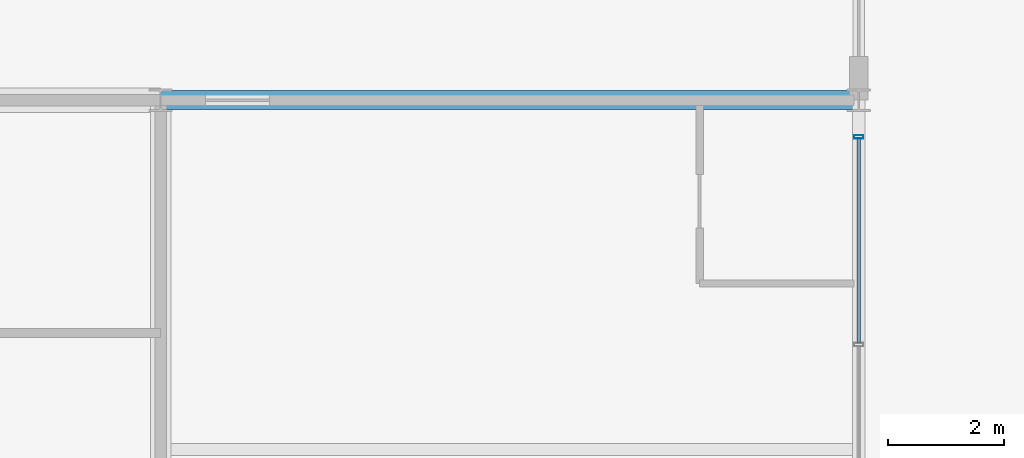
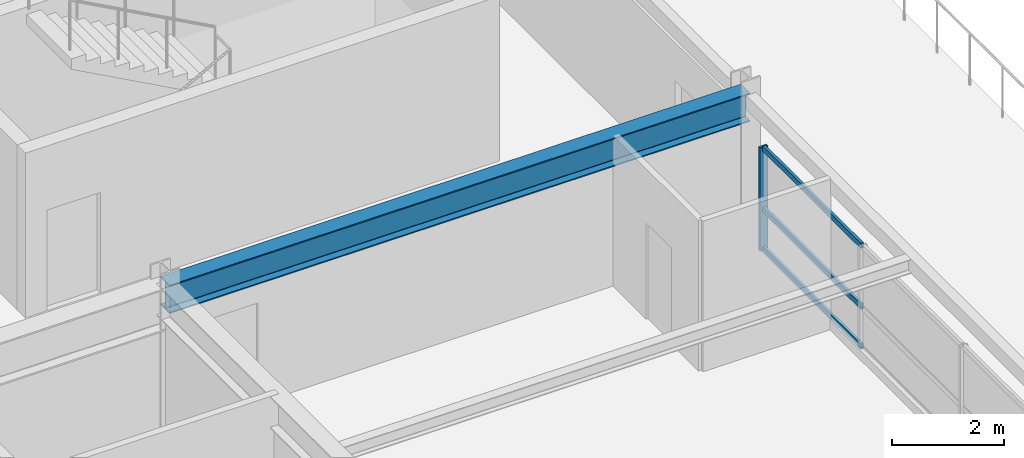
# One storey, part 11 of 24: 4 members, 1 beam, 1 element without a shape of its own.
"""IFC4 building model written with IfcOpenShell, lengths in metres."""

import ifcopenshell
import ifcopenshell.guid

model = None  # the IFC model being written
_history = None  # IfcOwnerHistory: only IFC2X3 demands one
_inside = {}  # id of a spatial element -> (the spatial element, [elements in it])
_under = {}  # id of a project, library or spatial element -> (it, [spatial elements below it])
_declared = {}  # id of a project -> (the project, [libraries it declares])
_typed = {}  # id of a type object -> (the type object, [elements of that type])
_made_of = {}  # id of a material, layer set ... -> (it, [elements and type objects made of it])


def new_model(schema):
    """Start an empty IFC model of exactly this schema.

    Asked for "IFC4X3", IfcOpenShell would pick the latest addendum, in which some entities
    have other attributes; the version numbers below select the first issue.
    IFC2X3 requires an IfcOwnerHistory on every rooted entity: one is made here for all.
    """
    global model, _history
    if schema == "IFC4X3":
        model = ifcopenshell.file(schema_version=(4, 3, 0, 0))
    else:
        model = ifcopenshell.file(schema=schema)
    _inside.clear()
    _under.clear()
    _declared.clear()
    _typed.clear()
    _made_of.clear()
    _history = None
    if model.schema == "IFC2X3":
        org = make("IfcOrganization", Name="unknown")
        user = make(
            "IfcPersonAndOrganization",
            ThePerson=make("IfcPerson", FamilyName="unknown"),
            TheOrganization=org,
        )
        app = make(
            "IfcApplication",
            ApplicationDeveloper=org,
            Version="unknown",
            ApplicationFullName="unknown",
            ApplicationIdentifier="unknown",
        )
        _history = make(
            "IfcOwnerHistory",
            OwningUser=user,
            OwningApplication=app,
            ChangeAction="ADDED",
            CreationDate=0,
        )
    return model


def make(cls, **values):
    """One entity of the class cls with the attributes given. An attribute that is None is left unset."""
    return model.create_entity(
        cls, **{name: value for name, value in values.items() if value is not None}
    )


def rooted(cls, **values):
    """An entity with a GlobalId (a new one), such as an element, a storey or a relation."""
    return make(cls, GlobalId=ifcopenshell.guid.new(), OwnerHistory=_history, **values)


def si_unit(unit_type, name, prefix=None):
    """IfcSIUnit, for example si_unit("LENGTHUNIT", "METRE", prefix="MILLI")."""
    return make("IfcSIUnit", UnitType=unit_type, Prefix=prefix, Name=name)


def assignment(units):
    """IfcUnitAssignment: the units of a project."""
    return None if units is None else make("IfcUnitAssignment", Units=units)


def point(xyz):
    """IfcCartesianPoint."""
    return None if xyz is None else make("IfcCartesianPoint", Coordinates=xyz)


def direction(xyz):
    """IfcDirection."""
    return None if xyz is None else make("IfcDirection", DirectionRatios=xyz)


def frame(location, z_axis=None, x_axis=None):
    """IfcAxis2Placement3D, a coordinate frame: its origin and axes. An axis left out is left unset."""
    return make(
        "IfcAxis2Placement3D",
        Location=point(location),
        Axis=direction(z_axis),
        RefDirection=direction(x_axis),
    )


def frame_2d(location, x_axis=None):
    """IfcAxis2Placement2D, a coordinate frame in the plane: its origin and x axis."""
    return make(
        "IfcAxis2Placement2D", Location=point(location), RefDirection=direction(x_axis)
    )


def origin():
    """The frame at (0, 0, 0) with its axes left unset."""
    return frame((0.0, 0.0, 0.0))


def origin_2d():
    """The frame at (0, 0) in the plane with its x axis left unset."""
    return frame_2d((0.0, 0.0))


def place(relative_to, where):
    """IfcLocalPlacement: puts the frame where relative to a parent placement (None: the world)."""
    return make(
        "IfcLocalPlacement", PlacementRelTo=relative_to, RelativePlacement=where
    )


def context(
    kind, dimensions, precision=None, world=None, true_north=None, identifier=None
):
    """IfcGeometricRepresentationContext, for example the 3D "Model" context."""
    return make(
        "IfcGeometricRepresentationContext",
        ContextIdentifier=identifier,
        ContextType=kind,
        CoordinateSpaceDimension=dimensions,
        Precision=precision,
        WorldCoordinateSystem=world,
        TrueNorth=true_north,
    )


def subcontext(parent, identifier, kind, view, scale=None):
    """IfcGeometricRepresentationSubContext, for example "Body" below "Model"."""
    return make(
        "IfcGeometricRepresentationSubContext",
        ContextIdentifier=identifier,
        ContextType=kind,
        ParentContext=parent,
        TargetScale=scale,
        TargetView=view,
    )


def project(units=None, contexts=None):
    """IfcProject with its units and contexts."""
    return rooted(
        "IfcProject",
        Name="project",
        RepresentationContexts=contexts,
        UnitsInContext=assignment(units),
    )


def spatial(cls, under=None, at=None, **own):
    """A site, building, storey or space (cls), placed at a placement, below another one or the project."""
    s = rooted(cls, ObjectPlacement=at, **own)
    if under is not None:
        _under.setdefault(under.id(), (under, []))[1].append(s)
    return s


def profile(cls, at=None, kind="AREA", **sizes):
    """A parametric profile (cls). Its sizes go by their IFC names, for example OverallWidth=200.0."""
    return make(cls, ProfileType=kind, Position=at, **sizes)


def hollow_rectangle(**sizes):
    """IfcRectangleHollowProfileDef."""
    return profile("IfcRectangleHollowProfileDef", **sizes)


def i_section(**sizes):
    """IfcIShapeProfileDef."""
    return profile("IfcIShapeProfileDef", **sizes)


def extrude(swept, where, along, depth):
    """IfcExtrudedAreaSolid: the profile swept, set in the frame where, extruded along a direction by depth."""
    return make(
        "IfcExtrudedAreaSolid",
        SweptArea=swept,
        Position=where,
        ExtrudedDirection=direction(along),
        Depth=depth,
    )


def shape(context_of_items, identifier, shape_type, items):
    """IfcShapeRepresentation: the items that make up one representation, for example the "Body"."""
    return make(
        "IfcShapeRepresentation",
        ContextOfItems=context_of_items,
        RepresentationIdentifier=identifier,
        RepresentationType=shape_type,
        Items=items,
    )


def material(Name=None, Category=None):
    """IfcMaterial."""
    return make("IfcMaterial", Name=Name, Category=Category)


def material_profile(
    of_material, cross_section, Name=None, Category=None, Priority=None
):
    """IfcMaterialProfile: a cross section and its material."""
    return make(
        "IfcMaterialProfile",
        Name=Name,
        Material=of_material,
        Profile=cross_section,
        Priority=Priority,
        Category=Category,
    )


def profile_set(profiles, Name=None, composite=None):
    """IfcMaterialProfileSet."""
    return make(
        "IfcMaterialProfileSet",
        Name=Name,
        MaterialProfiles=profiles,
        CompositeProfile=composite,
    )


def made_of(thing, what):
    """Note that an element or type object is made of a material, layer set ...; save() writes the relation."""
    if what is not None:
        _made_of.setdefault(what.id(), (what, []))[1].append(thing)
    return thing


def type_object(cls, material=None, **own):
    """A type object (cls), such as IfcWallType, which elements share."""
    return made_of(rooted(cls, **own), material)


def element(
    cls,
    number,
    at=None,
    inside=None,
    cuts=None,
    type_object=None,
    material=None,
    context=None,
    identifier="Body",
    shape_type=None,
    held_by="IfcProductDefinitionShape",
    body=None,
    shapes=None,
    **own,
):
    """One element of the class cls, such as IfcWall. Its Tag is "e" and its number.

    at: its placement. inside: the storey or other place that contains it. cuts: it is an
    opening in that element (IfcRelVoidsElement). A single representation is given by context,
    identifier, shape_type and body (its items); several are given by shapes. held_by: the class
    of the entity that holds the representations. save() writes the other relations.
    """
    e = rooted(cls, Tag="e%d" % number, ObjectPlacement=at, **own)
    if body is not None:
        shapes = [shape(context, identifier, shape_type, body)]
    if shapes is not None:
        e.Representation = make(held_by, Representations=shapes)
    if inside is not None:
        _inside.setdefault(inside.id(), (inside, []))[1].append(e)
    if cuts is not None:
        rooted(
            "IfcRelVoidsElement", RelatingBuildingElement=cuts, RelatedOpeningElement=e
        )
    if type_object is not None:
        _typed.setdefault(type_object.id(), (type_object, []))[1].append(e)
    return made_of(e, material)


def aggregate(whole, parts):
    """IfcRelAggregates: a whole, such as a stair, and the parts it consists of."""
    return rooted("IfcRelAggregates", RelatingObject=whole, RelatedObjects=parts)


def save(model, path):
    """Write the relations noted so far, then the file.

    IfcRelAggregates (storeys below a building ...), IfcRelContainedInSpatialStructure (elements
    in a storey), IfcRelDefinesByType, IfcRelAssociatesMaterial and IfcRelDeclares: one each for
    every whole, place, type object, material and project.
    """
    for whole, parts in _under.values():
        aggregate(whole, parts)
    for where, things in _inside.values():
        rooted(
            "IfcRelContainedInSpatialStructure",
            RelatedElements=things,
            RelatingStructure=where,
        )
    for kind, things in _typed.values():
        rooted("IfcRelDefinesByType", RelatedObjects=things, RelatingType=kind)
    for what, things in _made_of.values():
        rooted("IfcRelAssociatesMaterial", RelatedObjects=things, RelatingMaterial=what)
    for by, libraries in _declared.values():
        rooted("IfcRelDeclares", RelatingContext=by, RelatedDefinitions=libraries)
    model.write(path)


model = new_model("IFC4")

# Units and contexts
model_context = context("Model", 3, precision=1e-05, world=origin(), true_north=direction((0.0, 1.0)))
body_context = subcontext(model_context, "Body", "Model", "MODEL_VIEW")
ifc_project = project(units=[si_unit("LENGTHUNIT", "METRE"), si_unit("AREAUNIT", "SQUARE_METRE"), si_unit("VOLUMEUNIT", "CUBIC_METRE"), si_unit("PLANEANGLEUNIT", "RADIAN"), si_unit("MASSUNIT", "GRAM", prefix="KILO")], contexts=[model_context])

# Site, building, storey
site_placement = place(None, origin())
site = spatial("IfcSite", under=ifc_project, at=site_placement, CompositionType="ELEMENT")
building_placement = place(site_placement, origin())
building = spatial("IfcBuilding", under=site, at=building_placement, Name="Kaldorvane Square Convention Centre", CompositionType="ELEMENT")
storey_placement = place(building_placement, frame((0.0, 0.0, 60.0)))
storey = spatial("IfcBuildingStorey", under=building, at=storey_placement, Name="L14", CompositionType="ELEMENT", Elevation=60.0)

# Beam
ifc_material_1 = material(Name="Steel ASTM A992 Gr. 50", Category="steel")
ifc_material_profile_1 = material_profile(ifc_material_1, i_section(OverallWidth=0.326507568359375, OverallDepth=0.621795654296875, WebThickness=0.0153961181640625, FlangeThickness=0.0243988037109375, FilletRadius=0.0126953125, at=origin_2d()), Name="W24X131")
ifc_profile_set_1 = profile_set([ifc_material_profile_1], Name="Steel ASTM A992 Gr. 50")
beam_type = type_object("IfcBeamType", Name="BM-GR-W24X131", PredefinedType="BEAM", material=ifc_profile_set_1)
beam_placement = place(storey_placement, frame((66.0, 96.0, 2.97509765625), z_axis=(1.0, 0.0, 0.0), x_axis=(0.0, 1.0, 0.0)))
element("IfcBeam", 1, at=beam_placement, inside=storey, type_object=beam_type, Name="Primary Girder (L14)", PredefinedType="BEAM", context=body_context, shape_type="SweptSolid", body=[
    extrude(i_section(OverallWidth=0.326507568359375, OverallDepth=0.621795654296875, WebThickness=0.0153961181640625, FlangeThickness=0.0243988037109375, FilletRadius=0.0126953125, at=origin_2d()), origin(), (0.0, 0.0, 1.0), 12.0),
])

# Curtain wall, members
ifc_material_2 = material(Name="Anodized Aluminum and Low-E Insulated Glazing", Category="aluminium")
curtain_wall_type = type_object("IfcCurtainWallType", Name="CW-UNI-HTL-A", PredefinedType="USERDEFINED", material=ifc_material_2)
curtain_wall_placement = place(storey_placement, origin())
curtain_wall = element("IfcCurtainWall", 2, at=curtain_wall_placement, inside=storey, type_object=curtain_wall_type, Name="Curtain Wall CW-10 (L14)", ObjectType="UNITISED GLAZING", PredefinedType="USERDEFINED")
ifc_material_profile_2 = material_profile(ifc_material_2, hollow_rectangle(XDim=0.05999755859375, YDim=0.160003662109375, WallThickness=0.003204345703125, at=origin_2d()), Name="CWM-160X60")
ifc_profile_set_2 = profile_set([ifc_material_profile_2], Name="Anodized Aluminum and Low-E Insulated Glazing")
member_type_1 = type_object("IfcMemberType", Name="CW-MUL-160", PredefinedType="MULLION", material=ifc_profile_set_2)
member_1_placement = place(storey_placement, frame((78.0, 95.3699951171875, 0.149993896484375), z_axis=(0.0, 0.0, 1.0), x_axis=(0.0, 1.0, 0.0)))
member_1 = element("IfcMember", 3, at=member_1_placement, type_object=member_type_1, Name="CW-10 mullion 4", PredefinedType="MULLION", context=body_context, shape_type="SweptSolid", body=[
    extrude(hollow_rectangle(XDim=0.05999755859375, YDim=0.160003662109375, WallThickness=0.003204345703125, at=origin_2d()), origin(), (0.0, 0.0, 1.0), 2.260009765625),
])
ifc_material_profile_3 = material_profile(ifc_material_2, hollow_rectangle(XDim=0.05499267578125, YDim=0.1199951171875, WallThickness=0.0030059814453125, at=origin_2d()), Name="CWT-120X55")
ifc_profile_set_3 = profile_set([ifc_material_profile_3], Name="Anodized Aluminum and Low-E Insulated Glazing")
member_type_2 = type_object("IfcMemberType", Name="CW-TRN-120", PredefinedType="USERDEFINED", material=ifc_profile_set_3)
member_2_placement = place(storey_placement, frame((78.0, 91.83000183105469, 0.1775054931640625), z_axis=(0.0, 1.0, 0.0), x_axis=(-1.0, 0.0, 0.0)))
member_2 = element("IfcMember", 4, at=member_2_placement, type_object=member_type_2, Name="CW-10 transom 3.1", ObjectType="TRANSOM", PredefinedType="USERDEFINED", context=body_context, shape_type="SweptSolid", body=[
    extrude(hollow_rectangle(XDim=0.05499267578125, YDim=0.1199951171875, WallThickness=0.0030059814453125, at=origin_2d()), origin(), (0.0, 0.0, 1.0), 3.5099945068359375),
])
member_3_placement = place(storey_placement, frame((78.0, 91.83000183105469, 1.0500030517578125), z_axis=(0.0, 1.0, 0.0), x_axis=(-1.0, 0.0, 0.0)))
member_3 = element("IfcMember", 5, at=member_3_placement, type_object=member_type_2, Name="CW-10 transom 3.2", ObjectType="TRANSOM", PredefinedType="USERDEFINED", context=body_context, shape_type="SweptSolid", body=[
    extrude(hollow_rectangle(XDim=0.05499267578125, YDim=0.1199951171875, WallThickness=0.0030059814453125, at=origin_2d()), origin(), (0.0, 0.0, 1.0), 3.5099945068359375),
])
member_4_placement = place(storey_placement, frame((78.0, 91.83000183105469, 2.38250732421875), z_axis=(0.0, 1.0, 0.0), x_axis=(-1.0, 0.0, 0.0)))
member_4 = element("IfcMember", 6, at=member_4_placement, type_object=member_type_2, Name="CW-10 transom 3.3", ObjectType="TRANSOM", PredefinedType="USERDEFINED", context=body_context, shape_type="SweptSolid", body=[
    extrude(hollow_rectangle(XDim=0.05499267578125, YDim=0.1199951171875, WallThickness=0.0030059814453125, at=origin_2d()), origin(), (0.0, 0.0, 1.0), 3.5099945068359375),
])
aggregate(curtain_wall, [member_1, member_2, member_3, member_4])

save(model, "model.ifc")
